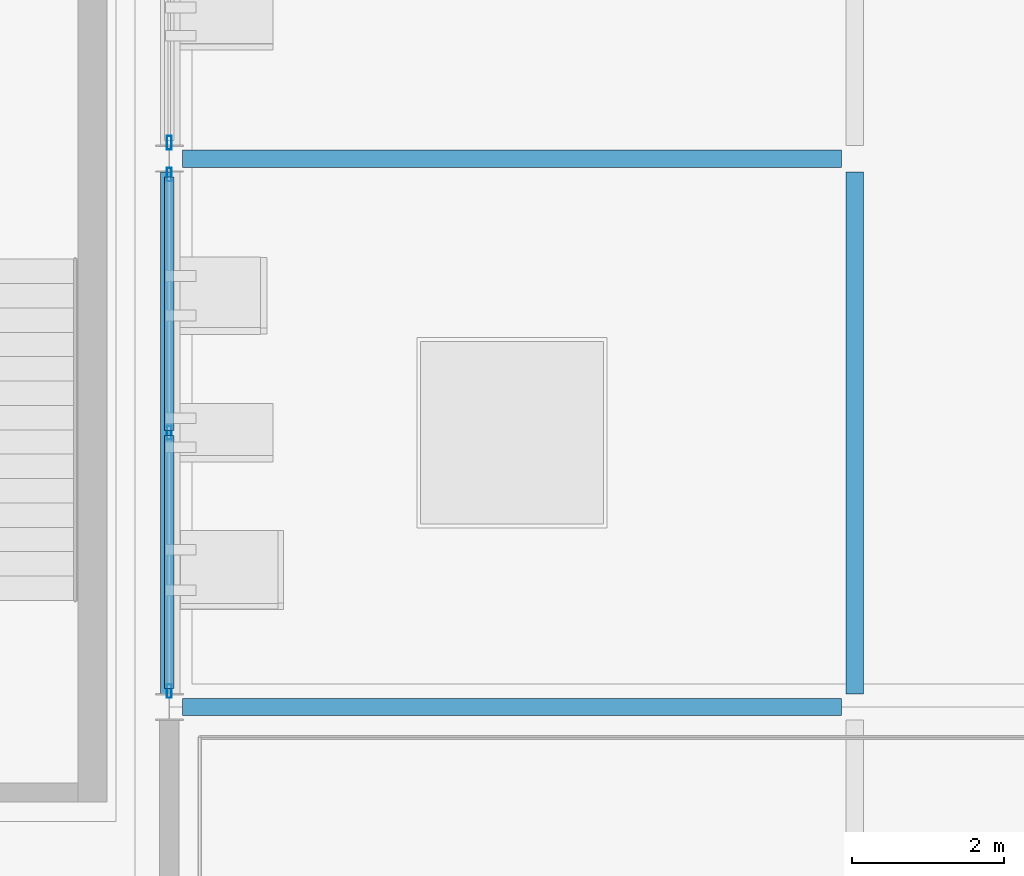
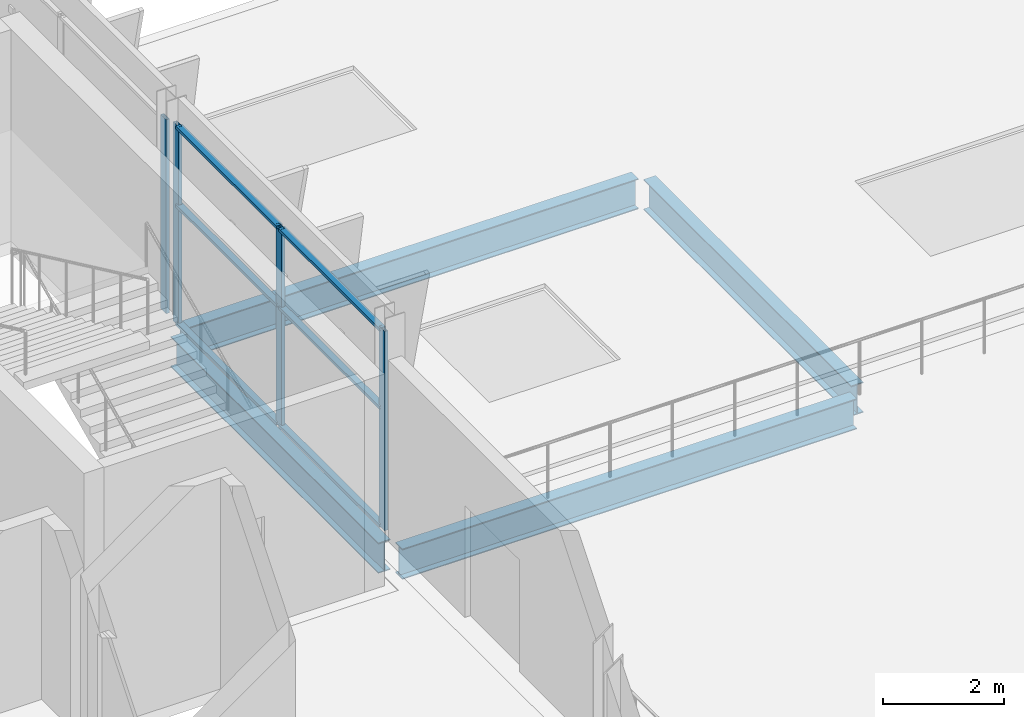
# One storey, part 40 of 78: 10 members, 4 beams, 2 elements without a shape of their own.
"""IFC4 building model written with IfcOpenShell, lengths in metres."""

from ifc_helpers import new_model, si_unit, direction, frame, origin, origin_2d, place, context, subcontext, project, spatial, hollow_rectangle, i_section, extrude, material, layer, layer_set, material_profile, profile_set, type_object, element, aggregate, save


model = new_model("IFC4")

# Units and contexts
model_context = context("Model", 3, precision=1e-05, world=origin(), true_north=direction((0.0, 1.0)))
body_context = subcontext(model_context, "Body", "Model", "MODEL_VIEW")
ifc_project = project(units=[si_unit("LENGTHUNIT", "METRE"), si_unit("AREAUNIT", "SQUARE_METRE"), si_unit("VOLUMEUNIT", "CUBIC_METRE"), si_unit("PLANEANGLEUNIT", "RADIAN"), si_unit("MASSUNIT", "GRAM", prefix="KILO")], contexts=[model_context])

# Site, building, storey
site_placement = place(None, origin())
site = spatial("IfcSite", under=ifc_project, at=site_placement, CompositionType="ELEMENT")
building_placement = place(site_placement, origin())
building = spatial("IfcBuilding", under=site, at=building_placement, Name="Celestram Park Convention Centre", CompositionType="ELEMENT")
storey_placement = place(building_placement, frame((0.0, 0.0, 19.800048828125)))
storey = spatial("IfcBuildingStorey", under=building, at=storey_placement, Name="L04", CompositionType="ELEMENT", Elevation=19.800048828125)

# Curtain wall, member
ifc_material_1 = material(Name="Anodised Aluminium Alloy 6063-T6", Category="aluminium")
ifc_layer_1 = layer(ifc_material_1, 0.179931640625)
ifc_layer_set_1 = layer_set([ifc_layer_1], Name="Anodised Aluminium Alloy 6063-T6")
curtain_wall_type_1 = type_object("IfcCurtainWallType", Name="ARC-CW-685X390", PredefinedType="NOTDEFINED", material=ifc_layer_set_1)
curtain_wall_1_placement = place(storey_placement, origin())
curtain_wall_1 = element("IfcCurtainWall", 1, at=curtain_wall_1_placement, inside=storey, type_object=curtain_wall_type_1, Name="Unitised curtain wall CU-L04-237", PredefinedType="NOTDEFINED")
ifc_material_profile_1 = material_profile(ifc_material_1, hollow_rectangle(XDim=0.06494140625, YDim=0.179931640625, WallThickness=0.00390625, at=origin_2d()), Name="ALU65X180X4")
ifc_profile_set_1 = profile_set([ifc_material_profile_1], Name="Anodised Aluminium Alloy 6063-T6")
member_type_1 = type_object("IfcMemberType", Name="ARC-CWM-150", PredefinedType="MULLION", material=ifc_profile_set_1)
member_1_placement = place(storey_placement, frame((99.0, 158.6083984375, 0.0), z_axis=(0.0, 0.0, 1.0), x_axis=(1.0, 0.0, 0.0)))
member_1 = element("IfcMember", 2, at=member_1_placement, type_object=member_type_1, Name="CW-68X39 mullion 3", PredefinedType="MULLION", context=body_context, shape_type="SweptSolid", body=[
    extrude(hollow_rectangle(XDim=0.06494140625, YDim=0.179931640625, WallThickness=0.00390625, at=origin_2d()), origin(), (0.0, 0.0, 1.0), 3.904052734375),
])
aggregate(curtain_wall_1, [member_1])

# Curtain wall, members
ifc_layer_2 = layer(ifc_material_1, 0.179931640625)
ifc_layer_set_2 = layer_set([ifc_layer_2], Name="Anodised Aluminium Alloy 6063-T6")
curtain_wall_type_2 = type_object("IfcCurtainWallType", Name="ARC-CW-685X401", PredefinedType="NOTDEFINED", material=ifc_layer_set_2)
curtain_wall_2_placement = place(storey_placement, origin())
curtain_wall_2 = element("IfcCurtainWall", 3, at=curtain_wall_2_placement, inside=storey, type_object=curtain_wall_type_2, Name="Unitised curtain wall CU-L04-238", PredefinedType="NOTDEFINED")
member_2_placement = place(storey_placement, frame((99.0, 158.19140625, 0.0), z_axis=(0.0, 0.0, 1.0), x_axis=(1.0, 0.0, 0.0)))
member_2 = element("IfcMember", 4, at=member_2_placement, type_object=member_type_1, Name="CW-68X40 mullion 1", PredefinedType="MULLION", context=body_context, shape_type="SweptSolid", body=[
    extrude(hollow_rectangle(XDim=0.06494140625, YDim=0.179931640625, WallThickness=0.00390625, at=origin_2d()), origin(), (0.0, 0.0, 1.0), 4.010009765625),
])
member_3_placement = place(storey_placement, frame((99.0, 154.800048828125, 0.0), z_axis=(0.0, 0.0, 1.0), x_axis=(1.0, 0.0, 0.0)))
member_3 = element("IfcMember", 5, at=member_3_placement, type_object=member_type_1, Name="CW-68X40 mullion 2", PredefinedType="MULLION", context=body_context, shape_type="SweptSolid", body=[
    extrude(hollow_rectangle(XDim=0.06494140625, YDim=0.179931640625, WallThickness=0.00390625, at=origin_2d()), origin(), (0.0, 0.0, 1.0), 4.010009765625),
])
member_4_placement = place(storey_placement, frame((99.0, 151.408447265625, 0.0), z_axis=(0.0, 0.0, 1.0), x_axis=(1.0, 0.0, 0.0)))
member_4 = element("IfcMember", 6, at=member_4_placement, type_object=member_type_1, Name="CW-68X40 mullion 3", PredefinedType="MULLION", context=body_context, shape_type="SweptSolid", body=[
    extrude(hollow_rectangle(XDim=0.06494140625, YDim=0.179931640625, WallThickness=0.00390625, at=origin_2d()), origin(), (0.0, 0.0, 1.0), 4.010009765625),
])
ifc_material_profile_2 = material_profile(ifc_material_1, hollow_rectangle(XDim=0.1201171875, YDim=0.06005859375, WallThickness=0.0029296875, at=origin_2d()), Name="ALU120X60X3")
ifc_profile_set_2 = profile_set([ifc_material_profile_2], Name="Anodised Aluminium Alloy 6063-T6")
member_type_2 = type_object("IfcMemberType", Name="ARC-CWT-120", PredefinedType="USERDEFINED", material=ifc_profile_set_2)
member_5_placement = place(storey_placement, frame((99.0, 158.158935546875, 0.030029296875), z_axis=(0.0, -1.0, 0.0), x_axis=(1.0, 0.0, 0.0)))
member_5 = element("IfcMember", 7, at=member_5_placement, type_object=member_type_2, Name="CW-68X40 transom 1.1", ObjectType="TRANSOM", PredefinedType="USERDEFINED", context=body_context, shape_type="SweptSolid", body=[
    extrude(hollow_rectangle(XDim=0.1201171875, YDim=0.06005859375, WallThickness=0.0029296875, at=origin_2d()), origin(), (0.0, 0.0, 1.0), 3.326416015625),
])
member_6_placement = place(storey_placement, frame((99.0, 158.158935546875, 2.406005859375), z_axis=(0.0, -1.0, 0.0), x_axis=(1.0, 0.0, 0.0)))
member_6 = element("IfcMember", 8, at=member_6_placement, type_object=member_type_2, Name="CW-68X40 transom 1.2", ObjectType="TRANSOM", PredefinedType="USERDEFINED", context=body_context, shape_type="SweptSolid", body=[
    extrude(hollow_rectangle(XDim=0.1201171875, YDim=0.06005859375, WallThickness=0.0029296875, at=origin_2d()), origin(), (0.0, 0.0, 1.0), 3.326416015625),
])
member_7_placement = place(storey_placement, frame((99.0, 158.158935546875, 3.97998046875), z_axis=(0.0, -1.0, 0.0), x_axis=(1.0, 0.0, 0.0)))
member_7 = element("IfcMember", 9, at=member_7_placement, type_object=member_type_2, Name="CW-68X40 transom 1.3", ObjectType="TRANSOM", PredefinedType="USERDEFINED", context=body_context, shape_type="SweptSolid", body=[
    extrude(hollow_rectangle(XDim=0.1201171875, YDim=0.06005859375, WallThickness=0.0029296875, at=origin_2d()), origin(), (0.0, 0.0, 1.0), 3.326416015625),
])
member_8_placement = place(storey_placement, frame((99.0, 154.767578125, 0.030029296875), z_axis=(0.0, -1.0, 0.0), x_axis=(1.0, 0.0, 0.0)))
member_8 = element("IfcMember", 10, at=member_8_placement, type_object=member_type_2, Name="CW-68X40 transom 2.1", ObjectType="TRANSOM", PredefinedType="USERDEFINED", context=body_context, shape_type="SweptSolid", body=[
    extrude(hollow_rectangle(XDim=0.1201171875, YDim=0.06005859375, WallThickness=0.0029296875, at=origin_2d()), origin(), (0.0, 0.0, 1.0), 3.32666015625),
])
member_9_placement = place(storey_placement, frame((99.0, 154.767578125, 2.406005859375), z_axis=(0.0, -1.0, 0.0), x_axis=(1.0, 0.0, 0.0)))
member_9 = element("IfcMember", 11, at=member_9_placement, type_object=member_type_2, Name="CW-68X40 transom 2.2", ObjectType="TRANSOM", PredefinedType="USERDEFINED", context=body_context, shape_type="SweptSolid", body=[
    extrude(hollow_rectangle(XDim=0.1201171875, YDim=0.06005859375, WallThickness=0.0029296875, at=origin_2d()), origin(), (0.0, 0.0, 1.0), 3.32666015625),
])
member_10_placement = place(storey_placement, frame((99.0, 154.767578125, 3.97998046875), z_axis=(0.0, -1.0, 0.0), x_axis=(1.0, 0.0, 0.0)))
member_10 = element("IfcMember", 12, at=member_10_placement, type_object=member_type_2, Name="CW-68X40 transom 2.3", ObjectType="TRANSOM", PredefinedType="USERDEFINED", context=body_context, shape_type="SweptSolid", body=[
    extrude(hollow_rectangle(XDim=0.1201171875, YDim=0.06005859375, WallThickness=0.0029296875, at=origin_2d()), origin(), (0.0, 0.0, 1.0), 3.32666015625),
])
aggregate(curtain_wall_2, [member_2, member_3, member_4, member_5, member_6, member_7, member_8, member_9, member_10])

# Beams
ifc_material_2 = material(Name="Steel ASTM A992 Grade 50", Category="steel")
ifc_material_profile_3 = material_profile(ifc_material_2, i_section(OverallWidth=0.22900390625, OverallDepth=0.612060546875, WebThickness=0.011962890625, FlangeThickness=0.01953125, at=origin_2d()), Name="W24X84")
ifc_profile_set_3 = profile_set([ifc_material_profile_3], Name="Steel ASTM A992 Grade 50")
beam_type = type_object("IfcBeamType", Name="STR-BM-W24X84", PredefinedType="BEAM", material=ifc_profile_set_3)
beam_1_placement = place(storey_placement, frame((99.173095703125, 151.199951171875, -0.60595703125), z_axis=(1.0, 0.0, 0.0), x_axis=(0.0, 1.0, 0.0)))
element("IfcBeam", 13, at=beam_1_placement, inside=storey, type_object=beam_type, Name="Primary X-girder BG-L04-0112", PredefinedType="BEAM", context=body_context, shape_type="SweptSolid", body=[
    extrude(i_section(OverallWidth=0.22900390625, OverallDepth=0.612060546875, WebThickness=0.011962890625, FlangeThickness=0.01953125, at=origin_2d()), origin(), (0.0, 0.0, 1.0), 8.65380859375),
])
beam_2_placement = place(storey_placement, frame((99.0, 151.373046875, -0.55615234375), z_axis=(0.0, 1.0, 0.0), x_axis=(-1.0, 0.0, 0.0)))
element("IfcBeam", 14, at=beam_2_placement, inside=storey, type_object=beam_type, Name="Primary Y-girder BG-L04-0113", PredefinedType="BEAM", context=body_context, shape_type="SweptSolid", body=[
    extrude(i_section(OverallWidth=0.22900390625, OverallDepth=0.612060546875, WebThickness=0.011962890625, FlangeThickness=0.01953125, at=origin_2d()), origin(), (0.0, 0.0, 1.0), 6.85400390625),
])
beam_3_placement = place(storey_placement, frame((99.173095703125, 158.39990234375, -0.546142578125), z_axis=(1.0, 0.0, 0.0), x_axis=(0.0, 1.0, 0.0)))
element("IfcBeam", 15, at=beam_3_placement, inside=storey, type_object=beam_type, Name="Primary X-girder BG-L04-0114", PredefinedType="BEAM", context=body_context, shape_type="SweptSolid", body=[
    extrude(i_section(OverallWidth=0.22900390625, OverallDepth=0.612060546875, WebThickness=0.011962890625, FlangeThickness=0.01953125, at=origin_2d()), origin(), (0.0, 0.0, 1.0), 8.65380859375),
])
beam_4_placement = place(storey_placement, frame((108.0, 151.373046875, -0.546142578125), z_axis=(0.0, 1.0, 0.0), x_axis=(-1.0, 0.0, 0.0)))
element("IfcBeam", 16, at=beam_4_placement, inside=storey, type_object=beam_type, Name="Primary Y-girder BG-L04-0128", PredefinedType="BEAM", context=body_context, shape_type="SweptSolid", body=[
    extrude(i_section(OverallWidth=0.22900390625, OverallDepth=0.612060546875, WebThickness=0.011962890625, FlangeThickness=0.01953125, at=origin_2d()), origin(), (0.0, 0.0, 1.0), 6.85400390625),
])

save(model, "model.ifc")
